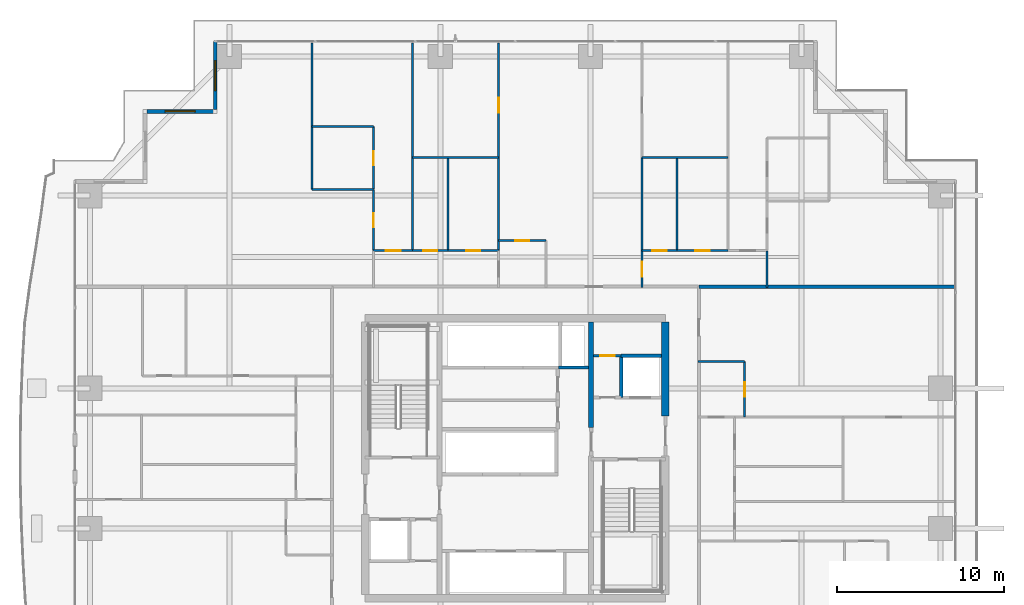
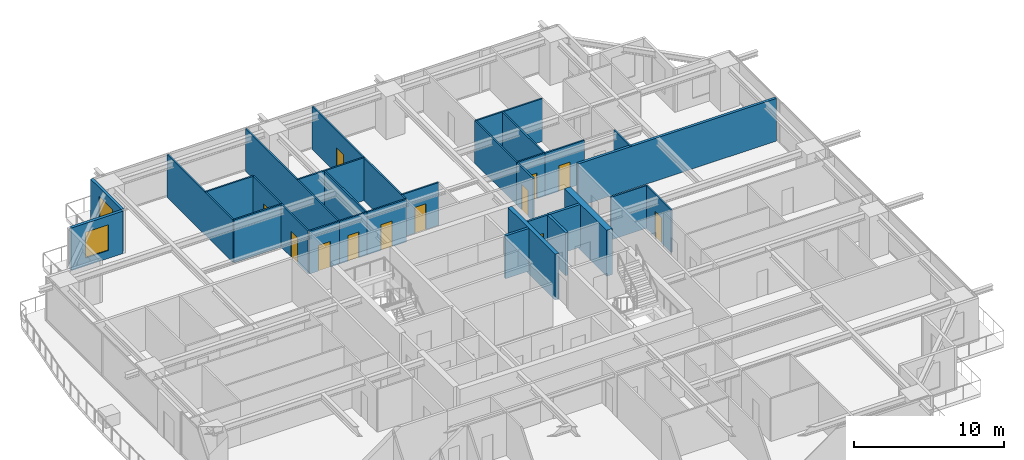
# One storey, part 31 of 41: 32 walls, 12 doors, 2 windows, 14 openings.
"""IFC4 building model written with IfcOpenShell, lengths in metres."""

from ifc_helpers import new_model, si_unit, direction, frame, frame_2d, origin, place, context, subcontext, project, spatial, rectangle, extrude, source, transform, mapped, material, layer, layer_set, type_object, element, fill, save


model = new_model("IFC4")

# Units and contexts
model_context = context("Model", 3, precision=1e-05, world=origin(), true_north=direction((0.0, 1.0)))
body_context = subcontext(model_context, "Body", "Model", "MODEL_VIEW")
ifc_project = project(units=[si_unit("LENGTHUNIT", "METRE"), si_unit("AREAUNIT", "SQUARE_METRE"), si_unit("VOLUMEUNIT", "CUBIC_METRE"), si_unit("PLANEANGLEUNIT", "RADIAN"), si_unit("MASSUNIT", "GRAM", prefix="KILO")], contexts=[model_context])

# Site, building, storey
site_placement = place(None, origin())
site = spatial("IfcSite", under=ifc_project, at=site_placement, CompositionType="ELEMENT")
building_placement = place(site_placement, origin())
building = spatial("IfcBuilding", under=site, at=building_placement, Name="Serunith Strait Residences", CompositionType="ELEMENT")
storey_placement = place(building_placement, frame((0.0, 0.0, 75.449951171875)))
storey = spatial("IfcBuildingStorey", under=building, at=storey_placement, Name="L18", CompositionType="ELEMENT", Elevation=75.449951171875)

# Wall, opening, window
ifc_material_1 = material(Name="Pale-Champagne Aluminium Insulated Panel", Category="aluminium")
ifc_layer_1 = layer(ifc_material_1, 0.219970703125, Name="Pale-Champagne Aluminium Insulated Panel")
ifc_layer_set_1 = layer_set([ifc_layer_1], Name="Pale-Champagne Aluminium Insulated Panel")
wall_type_1 = type_object("IfcWallType", Name="EW-ALUM-220", PredefinedType="ELEMENTEDWALL", material=ifc_layer_set_1)
wall_1_placement = place(storey_placement, frame((14.39990234375, 50.199951171875, 0.0), z_axis=(0.0, 0.0, 1.0), x_axis=(0.0, -1.0, 0.0)))
wall_1 = element("IfcWall", 1, at=wall_1_placement, inside=storey, type_object=wall_type_1, Name="L18 Girih Serrated Corner Wall 12", PredefinedType="ELEMENTEDWALL", context=body_context, shape_type="SweptSolid", body=[
    extrude(rectangle(XDim=4.08984375, YDim=0.219970703125, at=frame_2d((2.044921875, 0.0))), origin(), (0.0, 0.0, 1.0), 3.47509765625),
])
opening_1_placement = place(wall_1_placement, frame((1.14501953125, 0.0, 0.64990234375)))
opening_1 = element("IfcOpeningElement", 2, at=opening_1_placement, cuts=wall_1, Name="Opening W-01", PredefinedType="OPENING", context=body_context, shape_type="SweptSolid", body=[
    extrude(rectangle(XDim=1.800048828125, YDim=2.10009765625, at=frame_2d((0.89990234375, 1.050048828125))), frame((0.0, 0.1201171875, 0.0), z_axis=(0.0, -1.0, 0.0), x_axis=(1.0, 0.0, 0.0)), (0.0, 0.0, 1.0), 0.239990234375),
])
ifc_material_2 = material(Name="Ceramic-Fritted Operable Aluminium Window Glass", Category="aluminium")
window_type = type_object("IfcWindowType", Name="WIN-C1", PartitioningType="DOUBLE_PANEL_VERTICAL", PredefinedType="WINDOW", material=ifc_material_2)
shared_shape_1 = source(origin(), body_context, "Body", "SweptSolid", [
    extrude(rectangle(XDim=1.800048828125, YDim=2.10009765625, at=frame_2d((0.89990234375, 1.050048828125))), frame((0.0, 0.030029296875, 0.0), z_axis=(0.0, -1.0, 0.0), x_axis=(1.0, 0.0, 0.0)), (0.0, 0.0, 1.0), 0.06005859375),
])
window_1_placement = place(opening_1_placement, origin())
window_1 = element("IfcWindow", 3, at=window_1_placement, inside=storey, type_object=window_type, Name="L18 Corner Operable Fritted Window 12", OverallHeight=2.10009765625, OverallWidth=1.800048828125, PartitioningType="SINGLE_PANEL", PredefinedType="WINDOW", context=body_context, shape_type="MappedRepresentation", body=[
    mapped(shared_shape_1, transform((0.0, 0.0, 0.0), scale=1.0)),
])
fill(opening_1, window_1)

wall_2_placement = place(storey_placement, frame((14.2900390625, 46.0, 0.0), z_axis=(0.0, 0.0, 1.0), x_axis=(-1.0, 0.0, 0.0)))
wall_2 = element("IfcWall", 4, at=wall_2_placement, inside=storey, type_object=wall_type_1, Name="L18 Girih Serrated Corner Wall 13", PredefinedType="ELEMENTEDWALL", context=body_context, shape_type="SweptSolid", body=[
    extrude(rectangle(XDim=3.97998046875, YDim=0.219970703125, at=frame_2d((1.989990234375, 0.0))), origin(), (0.0, 0.0, 1.0), 3.47509765625),
])
opening_2_placement = place(wall_2_placement, frame((1.090087890625, 0.0, 0.64990234375)))
opening_2 = element("IfcOpeningElement", 5, at=opening_2_placement, cuts=wall_2, Name="Opening W-01", PredefinedType="OPENING", context=body_context, shape_type="SweptSolid", body=[
    extrude(rectangle(XDim=1.800048828125, YDim=2.10009765625, at=frame_2d((0.89990234375, 1.050048828125))), frame((0.0, 0.1201171875, 0.0), z_axis=(0.0, -1.0, 0.0), x_axis=(1.0, 0.0, 0.0)), (0.0, 0.0, 1.0), 0.239990234375),
])
window_2_placement = place(opening_2_placement, origin())
window_2 = element("IfcWindow", 6, at=window_2_placement, inside=storey, type_object=window_type, Name="L18 Corner Operable Fritted Window 13", OverallHeight=2.10009765625, OverallWidth=1.800048828125, PartitioningType="SINGLE_PANEL", PredefinedType="WINDOW", context=body_context, shape_type="MappedRepresentation", body=[
    mapped(shared_shape_1, transform((0.0, 0.0, 0.0), scale=1.0)),
])
fill(opening_2, window_2)

# Wall, opening, door
ifc_material_3 = material(Name="Fire-rated masonry service closet wall", Category="masonry")
ifc_layer_2 = layer(ifc_material_3, 0.14990234375, Name="Fire-rated masonry service closet wall")
ifc_layer_set_2 = layer_set([ifc_layer_2], Name="Fire-rated masonry service closet wall")
wall_type_2 = type_object("IfcWallType", Name="IW-BOH-150", PredefinedType="PARTITIONING", material=ifc_layer_set_2)
wall_3_placement = place(storey_placement, frame((37.10009765625, 31.35009765625, 0.0), z_axis=(0.0, 0.0, 1.0), x_axis=(1.0, 0.0, 0.0)))
wall_3 = element("IfcWall", 7, at=wall_3_placement, inside=storey, type_object=wall_type_2, Name="L18 Partition Wall 013", PredefinedType="PARTITIONING", context=body_context, shape_type="SweptSolid", body=[
    extrude(rectangle(XDim=1.64794921875, YDim=0.14990234375, at=frame_2d((0.823974609375, 0.0))), origin(), (0.0, 0.0, 1.0), 3.489990234375),
])
opening_3_placement = place(wall_3_placement, frame((0.39892578125, 0.0, 0.0)))
opening_3 = element("IfcOpeningElement", 8, at=opening_3_placement, cuts=wall_3, Name="Opening FD-850", PredefinedType="OPENING", context=body_context, shape_type="SweptSolid", body=[
    extrude(rectangle(XDim=0.85009765625, YDim=2.10009765625, at=frame_2d((0.425048828125, 1.050048828125))), frame((0.0, 0.0849609375, 0.0), z_axis=(0.0, -1.0, 0.0), x_axis=(1.0, 0.0, 0.0)), (0.0, 0.0, 1.0), 0.169921875),
])
ifc_material_4 = material(Name="Powder-coated steel service closet door", Category="steel")
door_type_1 = type_object("IfcDoorType", Name="FD-BOH-850", OperationType="NOTDEFINED", PredefinedType="DOOR", material=ifc_material_4)
shared_shape_2 = source(origin(), body_context, "Body", "SweptSolid", [
    extrude(rectangle(XDim=0.85009765625, YDim=2.10009765625, at=frame_2d((0.425048828125, 1.050048828125))), frame((0.0, 0.02490234375, 0.0), z_axis=(0.0, -1.0, 0.0), x_axis=(1.0, 0.0, 0.0)), (0.0, 0.0, 1.0), 0.050048828125),
])
door_1_placement = place(opening_3_placement, origin())
door_1 = element("IfcDoor", 9, at=door_1_placement, inside=storey, type_object=door_type_1, Name="L18 Refuse Store Door", OperationType="SINGLE_SWING_LEFT", OverallHeight=2.10009765625, OverallWidth=0.85009765625, PredefinedType="DOOR", context=body_context, shape_type="MappedRepresentation", body=[
    mapped(shared_shape_2, transform((0.0, 0.0, 0.0), scale=1.0)),
])
fill(opening_3, door_1)

ifc_material_5 = material(Name="Lightweight steel-stud gypsum partition", Category="steel")
ifc_layer_3 = layer(ifc_material_5, 0.1201171875, Name="Lightweight steel-stud gypsum partition")
ifc_layer_set_3 = layer_set([ifc_layer_3], Name="Lightweight steel-stud gypsum partition")
wall_type_3 = type_object("IfcWallType", Name="IW-PART-120", PredefinedType="PARTITIONING", material=ifc_layer_set_3)
wall_4_placement = place(storey_placement, frame((31.39990234375, 38.25, 0.0), z_axis=(0.0, 0.0, 1.0), x_axis=(1.0, 0.0, 0.0)))
wall_4 = element("IfcWall", 10, at=wall_4_placement, inside=storey, type_object=wall_type_3, Name="L18 Partition Wall 055", PredefinedType="PARTITIONING", context=body_context, shape_type="SweptSolid", body=[
    extrude(rectangle(XDim=2.85009765625, YDim=0.1201171875, at=frame_2d((1.425048828125, 0.0))), origin(), (0.0, 0.0, 1.0), 3.489990234375),
])
opening_4_placement = place(wall_4_placement, frame((1.0, 0.0, 0.0)))
opening_4 = element("IfcOpeningElement", 11, at=opening_4_placement, cuts=wall_4, Name="Opening D-RM850", PredefinedType="OPENING", context=body_context, shape_type="SweptSolid", body=[
    extrude(rectangle(XDim=0.85009765625, YDim=2.10009765625, at=frame_2d((0.425048828125, 1.050048828125))), frame((0.0, 0.070068359375, 0.0), z_axis=(0.0, -1.0, 0.0), x_axis=(1.0, 0.0, 0.0)), (0.0, 0.0, 1.0), 0.14013671875),
])
ifc_material_6 = material(Name="Engineered timber flush study and kitchen door", Category="wood")
door_type_2 = type_object("IfcDoorType", Name="ID-ROOM-850", OperationType="NOTDEFINED", PredefinedType="DOOR", material=ifc_material_6)
door_2_placement = place(opening_4_placement, origin())
door_2 = element("IfcDoor", 12, at=door_2_placement, inside=storey, type_object=door_type_2, Name="L18 Kitchen 1802 Door", OperationType="SINGLE_SWING_RIGHT", OverallHeight=2.10009765625, OverallWidth=0.85009765625, PredefinedType="DOOR", context=body_context, shape_type="MappedRepresentation", body=[
    mapped(shared_shape_2, transform((0.0, 0.0, 0.0), scale=1.0)),
])
fill(opening_4, door_2)

wall_5_placement = place(storey_placement, frame((31.39990234375, 50.10498046875, 0.0), z_axis=(0.0, 0.0, 1.0), x_axis=(0.0, -1.0, 0.0)))
wall_5 = element("IfcWall", 13, at=wall_5_placement, inside=storey, type_object=wall_type_3, Name="L18 Partition Wall 058", PredefinedType="PARTITIONING", context=body_context, shape_type="SweptSolid", body=[
    extrude(rectangle(XDim=6.85107421875, YDim=0.1201171875, at=frame_2d((3.425537109375, 0.0))), origin(), (0.0, 0.0, 1.0), 3.489990234375),
])
opening_5_placement = place(wall_5_placement, frame((3.27294921875, 0.0, 0.0)))
opening_5 = element("IfcOpeningElement", 14, at=opening_5_placement, cuts=wall_5, Name="Opening D-RM900", PredefinedType="OPENING", context=body_context, shape_type="SweptSolid", body=[
    extrude(rectangle(XDim=0.89990234375, YDim=2.10009765625, at=frame_2d((0.449951171875, 1.050048828125))), frame((0.0, 0.070068359375, 0.0), z_axis=(0.0, -1.0, 0.0), x_axis=(1.0, 0.0, 0.0)), (0.0, 0.0, 1.0), 0.14013671875),
])
ifc_material_7 = material(Name="Engineered timber flush bedroom door", Category="wood")
door_type_3 = type_object("IfcDoorType", Name="ID-ROOM-900", OperationType="NOTDEFINED", PredefinedType="DOOR", material=ifc_material_7)
shared_shape_3 = source(origin(), body_context, "Body", "SweptSolid", [
    extrude(rectangle(XDim=0.89990234375, YDim=2.10009765625, at=frame_2d((0.449951171875, 1.050048828125))), frame((0.0, 0.02490234375, 0.0), z_axis=(0.0, -1.0, 0.0), x_axis=(1.0, 0.0, 0.0)), (0.0, 0.0, 1.0), 0.050048828125),
])
door_3_placement = place(opening_5_placement, origin())
door_3 = element("IfcDoor", 15, at=door_3_placement, inside=storey, type_object=door_type_3, Name="L18 Formal Dining Room 1 1802 Door", OperationType="SINGLE_SWING_RIGHT", OverallHeight=2.10009765625, OverallWidth=0.89990234375, PredefinedType="DOOR", context=body_context, shape_type="MappedRepresentation", body=[
    mapped(shared_shape_3, transform((0.0, 0.0, 0.0), scale=1.0)),
])
fill(opening_5, door_3)

# Walls
wall_6_placement = place(storey_placement, frame((31.39990234375, 43.251953125, 0.0), z_axis=(0.0, 0.0, 1.0), x_axis=(0.0, -1.0, 0.0)))
element("IfcWall", 16, at=wall_6_placement, inside=storey, type_object=wall_type_3, Name="L18 Partition Wall 059", PredefinedType="PARTITIONING", context=body_context, shape_type="SweptSolid", body=[
    extrude(rectangle(XDim=5.599853515625, YDim=0.1201171875, at=frame_2d((2.7998046875, 0.0))), origin(), (0.0, 0.0, 1.0), 3.489990234375),
])
wall_7_placement = place(storey_placement, frame((26.25, 43.25390625, 0.0), z_axis=(0.0, 0.0, 1.0), x_axis=(1.0, 0.0, 0.0)))
element("IfcWall", 17, at=wall_7_placement, inside=storey, type_object=wall_type_3, Name="L18 Partition Wall 060", PredefinedType="PARTITIONING", context=body_context, shape_type="SweptSolid", body=[
    extrude(rectangle(XDim=5.14990234375, YDim=0.1201171875, at=frame_2d((2.574951171875, 0.0))), origin(), (0.0, 0.0, 1.0), 3.489990234375),
])
wall_8_placement = place(storey_placement, frame((26.25, 50.10498046875, 0.0), z_axis=(0.0, 0.0, 1.0), x_axis=(0.0, -1.0, 0.0)))
element("IfcWall", 18, at=wall_8_placement, inside=storey, type_object=wall_type_3, Name="L18 Partition Wall 061", PredefinedType="PARTITIONING", context=body_context, shape_type="SweptSolid", body=[
    extrude(rectangle(XDim=12.455078125, YDim=0.1201171875, at=frame_2d((6.2275390625, 0.0))), origin(), (0.0, 0.0, 1.0), 3.489990234375),
])
wall_9_placement = place(storey_placement, frame((28.35009765625, 43.25390625, 0.0), z_axis=(0.0, 0.0, 1.0), x_axis=(0.0, -1.0, 0.0)))
element("IfcWall", 19, at=wall_9_placement, inside=storey, type_object=wall_type_3, Name="L18 Partition Wall 062", PredefinedType="PARTITIONING", context=body_context, shape_type="SweptSolid", body=[
    extrude(rectangle(XDim=5.60400390625, YDim=0.1201171875, at=frame_2d((2.802001953125, 0.0))), origin(), (0.0, 0.0, 1.0), 3.489990234375),
])

# Wall, opening, door
wall_10_placement = place(storey_placement, frame((26.25, 37.64990234375, 0.0), z_axis=(0.0, 0.0, 1.0), x_axis=(1.0, 0.0, 0.0)))
wall_10 = element("IfcWall", 20, at=wall_10_placement, inside=storey, type_object=wall_type_3, Name="L18 Partition Wall 063", PredefinedType="PARTITIONING", context=body_context, shape_type="SweptSolid", body=[
    extrude(rectangle(XDim=2.10009765625, YDim=0.1201171875, at=frame_2d((1.050048828125, 0.0))), origin(), (0.0, 0.0, 1.0), 3.489990234375),
])
opening_6_placement = place(wall_10_placement, frame((0.625, 0.0, 0.0)))
opening_6 = element("IfcOpeningElement", 21, at=opening_6_placement, cuts=wall_10, Name="Opening D-BTH850", PredefinedType="OPENING", context=body_context, shape_type="SweptSolid", body=[
    extrude(rectangle(XDim=0.85009765625, YDim=2.10009765625, at=frame_2d((0.425048828125, 1.050048828125))), frame((0.0, 0.070068359375, 0.0), z_axis=(0.0, -1.0, 0.0), x_axis=(1.0, 0.0, 0.0)), (0.0, 0.0, 1.0), 0.14013671875),
])
ifc_material_8 = material(Name="Moisture-resistant timber bathroom door", Category="wood")
door_type_4 = type_object("IfcDoorType", Name="ID-BATH-850", OperationType="NOTDEFINED", PredefinedType="DOOR", material=ifc_material_8)
door_4_placement = place(opening_6_placement, origin())
door_4 = element("IfcDoor", 22, at=door_4_placement, inside=storey, type_object=door_type_4, Name="L18 Bathroom 1802 Door", OperationType="SINGLE_SWING_LEFT", OverallHeight=2.10009765625, OverallWidth=0.85009765625, PredefinedType="DOOR", context=body_context, shape_type="MappedRepresentation", body=[
    mapped(shared_shape_2, transform((0.0, 0.0, 0.0), scale=1.0)),
])
fill(opening_6, door_4)

wall_11_placement = place(storey_placement, frame((28.35205078125, 37.64990234375, 0.0), z_axis=(0.0, 0.0, 1.0), x_axis=(1.0, 0.0, 0.0)))
wall_11 = element("IfcWall", 23, at=wall_11_placement, inside=storey, type_object=wall_type_3, Name="L18 Partition Wall 064", PredefinedType="PARTITIONING", context=body_context, shape_type="SweptSolid", body=[
    extrude(rectangle(XDim=3.0478515625, YDim=0.1201171875, at=frame_2d((1.52392578125, 0.0))), origin(), (0.0, 0.0, 1.0), 3.489990234375),
])
opening_7_placement = place(wall_11_placement, frame((1.09912109375, 0.0, 0.0)))
opening_7 = element("IfcOpeningElement", 24, at=opening_7_placement, cuts=wall_11, Name="Opening D-RM850", PredefinedType="OPENING", context=body_context, shape_type="SweptSolid", body=[
    extrude(rectangle(XDim=0.85009765625, YDim=2.10009765625, at=frame_2d((0.425048828125, 1.050048828125))), frame((0.0, 0.070068359375, 0.0), z_axis=(0.0, -1.0, 0.0), x_axis=(1.0, 0.0, 0.0)), (0.0, 0.0, 1.0), 0.14013671875),
])
door_5_placement = place(opening_7_placement, origin())
door_5 = element("IfcDoor", 25, at=door_5_placement, inside=storey, type_object=door_type_2, Name="L18 Formal Dining Room 1802 Door", OperationType="SINGLE_SWING_RIGHT", OverallHeight=2.10009765625, OverallWidth=0.85009765625, PredefinedType="DOOR", context=body_context, shape_type="MappedRepresentation", body=[
    mapped(shared_shape_2, transform((0.0, 0.0, 0.0), scale=1.0)),
])
fill(opening_7, door_5)

wall_12_placement = place(storey_placement, frame((23.89990234375, 37.64990234375, 0.0), z_axis=(0.0, 0.0, 1.0), x_axis=(1.0, 0.0, 0.0)))
wall_12 = element("IfcWall", 26, at=wall_12_placement, inside=storey, type_object=wall_type_3, Name="L18 Partition Wall 065", PredefinedType="PARTITIONING", context=body_context, shape_type="SweptSolid", body=[
    extrude(rectangle(XDim=2.34814453125, YDim=0.1201171875, at=frame_2d((1.174072265625, 0.0))), origin(), (0.0, 0.0, 1.0), 3.489990234375),
])
opening_8_placement = place(wall_12_placement, frame((0.72412109375, 0.0, 0.0)))
opening_8 = element("IfcOpeningElement", 27, at=opening_8_placement, cuts=wall_12, Name="Opening D-RM900", PredefinedType="OPENING", context=body_context, shape_type="SweptSolid", body=[
    extrude(rectangle(XDim=0.89990234375, YDim=2.10009765625, at=frame_2d((0.449951171875, 1.050048828125))), frame((0.0, 0.070068359375, 0.0), z_axis=(0.0, -1.0, 0.0), x_axis=(1.0, 0.0, 0.0)), (0.0, 0.0, 1.0), 0.14013671875),
])
door_6_placement = place(opening_8_placement, origin())
door_6 = element("IfcDoor", 28, at=door_6_placement, inside=storey, type_object=door_type_3, Name="L18 Master Bedroom W 1802 Door", OperationType="SINGLE_SWING_LEFT", OverallHeight=2.10009765625, OverallWidth=0.89990234375, PredefinedType="DOOR", context=body_context, shape_type="MappedRepresentation", body=[
    mapped(shared_shape_3, transform((0.0, 0.0, 0.0), scale=1.0)),
])
fill(opening_8, door_6)

# Walls
wall_13_placement = place(storey_placement, frame((20.199951171875, 45.091064453125, 0.0), z_axis=(0.0, 0.0, 1.0), x_axis=(1.0, 0.0, 0.0)))
element("IfcWall", 29, at=wall_13_placement, inside=storey, type_object=wall_type_3, Name="L18 Partition Wall 066", PredefinedType="PARTITIONING", context=body_context, shape_type="SweptSolid", body=[
    extrude(rectangle(XDim=3.699951171875, YDim=0.1201171875, at=frame_2d((1.85009765625, 0.0))), origin(), (0.0, 0.0, 1.0), 3.489990234375),
])
wall_14_placement = place(storey_placement, frame((20.199951171875, 50.10498046875, 0.0), z_axis=(0.0, 0.0, 1.0), x_axis=(0.0, -1.0, 0.0)))
element("IfcWall", 30, at=wall_14_placement, inside=storey, type_object=wall_type_3, Name="L18 Partition Wall 067", PredefinedType="PARTITIONING", context=body_context, shape_type="SweptSolid", body=[
    extrude(rectangle(XDim=8.798095703125, YDim=0.1201171875, at=frame_2d((4.39892578125, 0.0))), origin(), (0.0, 0.0, 1.0), 3.489990234375),
])
wall_15_placement = place(storey_placement, frame((20.199951171875, 41.306884765625, 0.0), z_axis=(0.0, 0.0, 1.0), x_axis=(1.0, 0.0, 0.0)))
element("IfcWall", 31, at=wall_15_placement, inside=storey, type_object=wall_type_3, Name="L18 Partition Wall 068", PredefinedType="PARTITIONING", context=body_context, shape_type="SweptSolid", body=[
    extrude(rectangle(XDim=3.699951171875, YDim=0.1201171875, at=frame_2d((1.85009765625, 0.0))), origin(), (0.0, 0.0, 1.0), 3.489990234375),
])

# Wall, opening, door
wall_16_placement = place(storey_placement, frame((23.89990234375, 45.091064453125, 0.0), z_axis=(0.0, 0.0, 1.0), x_axis=(0.0, -1.0, 0.0)))
wall_16 = element("IfcWall", 32, at=wall_16_placement, inside=storey, type_object=wall_type_3, Name="L18 Partition Wall 069", PredefinedType="PARTITIONING", context=body_context, shape_type="SweptSolid", body=[
    extrude(rectangle(XDim=3.7841796875, YDim=0.1201171875, at=frame_2d((1.89208984375, 0.0))), origin(), (0.0, 0.0, 1.0), 3.489990234375),
])
opening_9_placement = place(wall_16_placement, frame((1.467041015625, 0.0, 0.0)))
opening_9 = element("IfcOpeningElement", 33, at=opening_9_placement, cuts=wall_16, Name="Opening D-BTH850", PredefinedType="OPENING", context=body_context, shape_type="SweptSolid", body=[
    extrude(rectangle(XDim=0.85009765625, YDim=2.10009765625, at=frame_2d((0.425048828125, 1.050048828125))), frame((0.0, 0.070068359375, 0.0), z_axis=(0.0, -1.0, 0.0), x_axis=(1.0, 0.0, 0.0)), (0.0, 0.0, 1.0), 0.14013671875),
])
door_7_placement = place(opening_9_placement, origin())
door_7 = element("IfcDoor", 34, at=door_7_placement, inside=storey, type_object=door_type_4, Name="L18 En-suite Bathroom W 1802 Door", OperationType="SINGLE_SWING_RIGHT", OverallHeight=2.10009765625, OverallWidth=0.85009765625, PredefinedType="DOOR", context=body_context, shape_type="MappedRepresentation", body=[
    mapped(shared_shape_2, transform((0.0, 0.0, 0.0), scale=1.0)),
])
fill(opening_9, door_7)

wall_17_placement = place(storey_placement, frame((23.89990234375, 41.304931640625, 0.0), z_axis=(0.0, 0.0, 1.0), x_axis=(0.0, -1.0, 0.0)))
wall_17 = element("IfcWall", 35, at=wall_17_placement, inside=storey, type_object=wall_type_3, Name="L18 Partition Wall 070", PredefinedType="PARTITIONING", context=body_context, shape_type="SweptSolid", body=[
    extrude(rectangle(XDim=3.655029296875, YDim=0.1201171875, at=frame_2d((1.82763671875, 0.0))), origin(), (0.0, 0.0, 1.0), 3.489990234375),
])
opening_10_placement = place(wall_17_placement, frame((1.403076171875, 0.0, 0.0)))
opening_10 = element("IfcOpeningElement", 36, at=opening_10_placement, cuts=wall_17, Name="Opening D-RM850", PredefinedType="OPENING", context=body_context, shape_type="SweptSolid", body=[
    extrude(rectangle(XDim=0.85009765625, YDim=2.10009765625, at=frame_2d((0.425048828125, 1.050048828125))), frame((0.0, 0.070068359375, 0.0), z_axis=(0.0, -1.0, 0.0), x_axis=(1.0, 0.0, 0.0)), (0.0, 0.0, 1.0), 0.14013671875),
])
door_8_placement = place(opening_10_placement, origin())
door_8 = element("IfcDoor", 37, at=door_8_placement, inside=storey, type_object=door_type_2, Name="L18 Wardrobe W 1802 Door", OperationType="SINGLE_SWING_LEFT", OverallHeight=2.10009765625, OverallWidth=0.85009765625, PredefinedType="DOOR", context=body_context, shape_type="MappedRepresentation", body=[
    mapped(shared_shape_2, transform((0.0, 0.0, 0.0), scale=1.0)),
])
fill(opening_10, door_8)

wall_18_placement = place(storey_placement, frame((40.0, 37.64990234375, 0.0), z_axis=(0.0, 0.0, 1.0), x_axis=(0.0, -1.0, 0.0)))
wall_18 = element("IfcWall", 38, at=wall_18_placement, inside=storey, type_object=wall_type_3, Name="L18 Partition Wall 072", PredefinedType="PARTITIONING", context=body_context, shape_type="SweptSolid", body=[
    extrude(rectangle(XDim=2.2099609375, YDim=0.1201171875, at=frame_2d((1.10498046875, 0.0))), origin(), (0.0, 0.0, 1.0), 3.489990234375),
])
opening_11_placement = place(wall_18_placement, frame((0.655029296875, 0.0, 0.0)))
opening_11 = element("IfcOpeningElement", 39, at=opening_11_placement, cuts=wall_18, Name="Opening D-RM900", PredefinedType="OPENING", context=body_context, shape_type="SweptSolid", body=[
    extrude(rectangle(XDim=0.89990234375, YDim=2.10009765625, at=frame_2d((0.449951171875, 1.050048828125))), frame((0.0, 0.070068359375, 0.0), z_axis=(0.0, -1.0, 0.0), x_axis=(1.0, 0.0, 0.0)), (0.0, 0.0, 1.0), 0.14013671875),
])
door_9_placement = place(opening_11_placement, origin())
door_9 = element("IfcDoor", 40, at=door_9_placement, inside=storey, type_object=door_type_3, Name="L18 Hall E 1802 Door", OperationType="SINGLE_SWING_RIGHT", OverallHeight=2.10009765625, OverallWidth=0.89990234375, PredefinedType="DOOR", context=body_context, shape_type="MappedRepresentation", body=[
    mapped(shared_shape_3, transform((0.0, 0.0, 0.0), scale=1.0)),
])
fill(opening_11, door_9)

# Walls
wall_19_placement = place(storey_placement, frame((40.0, 43.251953125, 0.0), z_axis=(0.0, 0.0, 1.0), x_axis=(0.0, -1.0, 0.0)))
element("IfcWall", 41, at=wall_19_placement, inside=storey, type_object=wall_type_3, Name="L18 Partition Wall 074", PredefinedType="PARTITIONING", context=body_context, shape_type="SweptSolid", body=[
    extrude(rectangle(XDim=5.599853515625, YDim=0.1201171875, at=frame_2d((2.7998046875, 0.0))), origin(), (0.0, 0.0, 1.0), 3.489990234375),
])
wall_20_placement = place(storey_placement, frame((40.0, 43.25390625, 0.0), z_axis=(0.0, 0.0, 1.0), x_axis=(1.0, 0.0, 0.0)))
element("IfcWall", 42, at=wall_20_placement, inside=storey, type_object=wall_type_3, Name="L18 Partition Wall 075", PredefinedType="PARTITIONING", context=body_context, shape_type="SweptSolid", body=[
    extrude(rectangle(XDim=5.14990234375, YDim=0.1201171875, at=frame_2d((2.574951171875, 0.0))), origin(), (0.0, 0.0, 1.0), 3.489990234375),
])
wall_21_placement = place(storey_placement, frame((42.10009765625, 43.25390625, 0.0), z_axis=(0.0, 0.0, 1.0), x_axis=(0.0, -1.0, 0.0)))
element("IfcWall", 43, at=wall_21_placement, inside=storey, type_object=wall_type_3, Name="L18 Partition Wall 077", PredefinedType="PARTITIONING", context=body_context, shape_type="SweptSolid", body=[
    extrude(rectangle(XDim=5.60400390625, YDim=0.1201171875, at=frame_2d((2.802001953125, 0.0))), origin(), (0.0, 0.0, 1.0), 3.489990234375),
])

# Wall, opening, door
wall_22_placement = place(storey_placement, frame((40.0, 37.64990234375, 0.0), z_axis=(0.0, 0.0, 1.0), x_axis=(1.0, 0.0, 0.0)))
wall_22 = element("IfcWall", 44, at=wall_22_placement, inside=storey, type_object=wall_type_3, Name="L18 Partition Wall 078", PredefinedType="PARTITIONING", context=body_context, shape_type="SweptSolid", body=[
    extrude(rectangle(XDim=2.10009765625, YDim=0.1201171875, at=frame_2d((1.050048828125, 0.0))), origin(), (0.0, 0.0, 1.0), 3.489990234375),
])
opening_12_placement = place(wall_22_placement, frame((0.625, 0.0, 0.0)))
opening_12 = element("IfcOpeningElement", 45, at=opening_12_placement, cuts=wall_22, Name="Opening D-RM850", PredefinedType="OPENING", context=body_context, shape_type="SweptSolid", body=[
    extrude(rectangle(XDim=0.85009765625, YDim=2.10009765625, at=frame_2d((0.425048828125, 1.050048828125))), frame((0.0, 0.070068359375, 0.0), z_axis=(0.0, -1.0, 0.0), x_axis=(1.0, 0.0, 0.0)), (0.0, 0.0, 1.0), 0.14013671875),
])
door_10_placement = place(opening_12_placement, origin())
door_10 = element("IfcDoor", 46, at=door_10_placement, inside=storey, type_object=door_type_2, Name="L18 Study 1802 Door", OperationType="SINGLE_SWING_RIGHT", OverallHeight=2.10009765625, OverallWidth=0.85009765625, PredefinedType="DOOR", context=body_context, shape_type="MappedRepresentation", body=[
    mapped(shared_shape_2, transform((0.0, 0.0, 0.0), scale=1.0)),
])
fill(opening_12, door_10)

wall_23_placement = place(storey_placement, frame((42.10205078125, 37.64990234375, 0.0), z_axis=(0.0, 0.0, 1.0), x_axis=(1.0, 0.0, 0.0)))
wall_23 = element("IfcWall", 47, at=wall_23_placement, inside=storey, type_object=wall_type_3, Name="L18 Partition Wall 079", PredefinedType="PARTITIONING", context=body_context, shape_type="SweptSolid", body=[
    extrude(rectangle(XDim=3.0478515625, YDim=0.1201171875, at=frame_2d((1.52392578125, 0.0))), origin(), (0.0, 0.0, 1.0), 3.489990234375),
])
opening_13_placement = place(wall_23_placement, frame((1.09912109375, 0.0, 0.0)))
opening_13 = element("IfcOpeningElement", 48, at=opening_13_placement, cuts=wall_23, Name="Opening D-RM850", PredefinedType="OPENING", context=body_context, shape_type="SweptSolid", body=[
    extrude(rectangle(XDim=0.85009765625, YDim=2.10009765625, at=frame_2d((0.425048828125, 1.050048828125))), frame((0.0, 0.070068359375, 0.0), z_axis=(0.0, -1.0, 0.0), x_axis=(1.0, 0.0, 0.0)), (0.0, 0.0, 1.0), 0.14013671875),
])
door_11_placement = place(opening_13_placement, origin())
door_11 = element("IfcDoor", 49, at=door_11_placement, inside=storey, type_object=door_type_2, Name="L18 Formal Dining Room 1802 Door", OperationType="SINGLE_SWING_LEFT", OverallHeight=2.10009765625, OverallWidth=0.85009765625, PredefinedType="DOOR", context=body_context, shape_type="MappedRepresentation", body=[
    mapped(shared_shape_2, transform((0.0, 0.0, 0.0), scale=1.0)),
])
fill(opening_13, door_11)

# Wall
wall_24_placement = place(storey_placement, frame((47.5, 37.64794921875, 0.0), z_axis=(0.0, 0.0, 1.0), x_axis=(0.0, -1.0, 0.0)))
element("IfcWall", 50, at=wall_24_placement, inside=storey, type_object=wall_type_3, Name="L18 Partition Wall 086", PredefinedType="PARTITIONING", context=body_context, shape_type="SweptSolid", body=[
    extrude(rectangle(XDim=2.2080078125, YDim=0.1201171875, at=frame_2d((1.10400390625, 0.0))), origin(), (0.0, 0.0, 1.0), 3.489990234375),
])

# Wall, opening, door
wall_25_placement = place(storey_placement, frame((46.14990234375, 27.669921875, 0.0), z_axis=(0.0, 0.0, 1.0), x_axis=(0.0, 1.0, 0.0)))
wall_25 = element("IfcWall", 51, at=wall_25_placement, inside=storey, type_object=wall_type_3, Name="L18 Partition Wall 103", PredefinedType="PARTITIONING", context=body_context, shape_type="SweptSolid", body=[
    extrude(rectangle(XDim=3.330078125, YDim=0.1201171875, at=frame_2d((1.6650390625, 0.0))), origin(), (0.0, 0.0, 1.0), 3.489990234375),
])
opening_14_placement = place(wall_25_placement, frame((1.239990234375, 0.0, 0.0)))
opening_14 = element("IfcOpeningElement", 52, at=opening_14_placement, cuts=wall_25, Name="Opening D-RM850", PredefinedType="OPENING", context=body_context, shape_type="SweptSolid", body=[
    extrude(rectangle(XDim=0.85009765625, YDim=2.10009765625, at=frame_2d((0.425048828125, 1.050048828125))), frame((0.0, 0.070068359375, 0.0), z_axis=(0.0, -1.0, 0.0), x_axis=(1.0, 0.0, 0.0)), (0.0, 0.0, 1.0), 0.14013671875),
])
door_12_placement = place(opening_14_placement, origin())
door_12 = element("IfcDoor", 53, at=door_12_placement, inside=storey, type_object=door_type_2, Name="L18 Kitchen 1804 Door", OperationType="SINGLE_SWING_LEFT", OverallHeight=2.10009765625, OverallWidth=0.85009765625, PredefinedType="DOOR", context=body_context, shape_type="MappedRepresentation", body=[
    mapped(shared_shape_2, transform((0.0, 0.0, 0.0), scale=1.0)),
])
fill(opening_14, door_12)

# Walls
wall_26_placement = place(storey_placement, frame((46.14990234375, 31.0, 0.0), z_axis=(0.0, 0.0, 1.0), x_axis=(-1.0, 0.0, 0.0)))
element("IfcWall", 54, at=wall_26_placement, inside=storey, type_object=wall_type_3, Name="L18 Partition Wall 104", PredefinedType="PARTITIONING", context=body_context, shape_type="SweptSolid", body=[
    extrude(rectangle(XDim=2.809814453125, YDim=0.1201171875, at=frame_2d((1.40478515625, 0.0))), origin(), (0.0, 0.0, 1.0), 3.489990234375),
])
ifc_material_9 = material(Name="Twin-stud acoustic gypsum board partition")
ifc_layer_4 = layer(ifc_material_9, 0.199951171875, Name="Twin-stud acoustic gypsum board partition")
ifc_layer_set_4 = layer_set([ifc_layer_4], Name="Twin-stud acoustic gypsum board partition")
wall_type_4 = type_object("IfcWallType", Name="IW-PARTY-200", PredefinedType="PARTITIONING", material=ifc_layer_set_4)
wall_27_placement = place(storey_placement, frame((43.39990234375, 35.5, 0.0), z_axis=(0.0, 0.0, 1.0), x_axis=(1.0, 0.0, 0.0)))
element("IfcWall", 55, at=wall_27_placement, inside=storey, type_object=wall_type_4, Name="L18 Partition Wall 020", PredefinedType="PARTITIONING", context=body_context, shape_type="SweptSolid", body=[
    extrude(rectangle(XDim=15.318115234375, YDim=0.199951171875, at=frame_2d((7.6591796875, 0.0))), origin(), (0.0, 0.0, 1.0), 3.489990234375),
])
ifc_material_10 = material(Name="Autoclaved aerated concrete blockwork", Category="masonry")
ifc_layer_5 = layer(ifc_material_10, 0.199951171875, Name="Autoclaved aerated concrete blockwork")
ifc_layer_set_5 = layer_set([ifc_layer_5], Name="Autoclaved aerated concrete blockwork")
wall_type_5 = type_object("IfcWallType", Name="IW-SHAFT-200", PredefinedType="STANDARD", material=ifc_layer_set_5)
wall_28_placement = place(storey_placement, frame((35.0, 30.64990234375, 0.0), z_axis=(0.0, 0.0, 1.0), x_axis=(1.0, 0.0, 0.0)))
element("IfcWall", 56, at=wall_28_placement, inside=storey, type_object=wall_type_5, Name="L18 SL-1 South Shaft Wall", PredefinedType="STANDARD", context=body_context, shape_type="SweptSolid", body=[
    extrude(rectangle(XDim=1.800048828125, YDim=0.199951171875, at=frame_2d((0.89990234375, 0.0))), origin(), (0.0, 0.0, 1.0), 3.489990234375),
])
wall_29_placement = place(storey_placement, frame((38.75, 28.85009765625, 0.0), z_axis=(0.0, 0.0, 1.0), x_axis=(0.0, 1.0, 0.0)))
element("IfcWall", 57, at=wall_29_placement, inside=storey, type_object=wall_type_5, Name="L18 Partition Wall 004", PredefinedType="STANDARD", context=body_context, shape_type="SweptSolid", body=[
    extrude(rectangle(XDim=2.5, YDim=0.199951171875, at=frame_2d((1.25, 0.0))), origin(), (0.0, 0.0, 1.0), 3.489990234375),
])
wall_30_placement = place(storey_placement, frame((38.75, 31.35009765625, 0.0), z_axis=(0.0, 0.0, 1.0), x_axis=(1.0, 0.0, 0.0)))
element("IfcWall", 58, at=wall_30_placement, inside=storey, type_object=wall_type_5, Name="L18 Partition Wall 005", PredefinedType="STANDARD", context=body_context, shape_type="SweptSolid", body=[
    extrude(rectangle(XDim=2.425048828125, YDim=0.199951171875, at=frame_2d((1.21240234375, 0.0))), origin(), (0.0, 0.0, 1.0), 3.489990234375),
])
ifc_material_11 = material(Name="Concrete C80/95", Category="concrete")
ifc_layer_6 = layer(ifc_material_11, 0.300048828125, Name="Concrete C80/95")
ifc_layer_set_6 = layer_set([ifc_layer_6], Name="Concrete C80/95")
wall_type_6 = type_object("IfcWallType", Name="SW-300-C80", PredefinedType="SHEAR", material=ifc_layer_set_6)
wall_31_placement = place(storey_placement, frame((36.949951171875, 27.050048828125, -0.260009765625), z_axis=(0.0, 0.0, 1.0), x_axis=(0.0, 1.0, 0.0)))
element("IfcWall", 59, at=wall_31_placement, inside=storey, type_object=wall_type_6, Name="L18 Core Internal East Web North Pier", PredefinedType="SHEAR", context=body_context, shape_type="SweptSolid", body=[
    extrude(rectangle(XDim=6.324951171875, YDim=0.300048828125, at=frame_2d((3.16259765625, 0.0))), origin(), (0.0, 0.0, 1.0), 3.748046875),
])
ifc_layer_7 = layer(ifc_material_11, 0.449951171875, Name="Concrete C80/95")
ifc_layer_set_7 = layer_set([ifc_layer_7], Name="Concrete C80/95")
wall_type_7 = type_object("IfcWallType", Name="SW-450-C80", PredefinedType="SHEAR", material=ifc_layer_set_7)
wall_32_placement = place(storey_placement, frame((41.39990234375, 27.75, -0.260009765625), z_axis=(0.0, 0.0, 1.0), x_axis=(0.0, 1.0, 0.0)))
element("IfcWall", 60, at=wall_32_placement, inside=storey, type_object=wall_type_7, Name="L18 Core East Shear Wall North Pier", PredefinedType="SHEAR", context=body_context, shape_type="SweptSolid", body=[
    extrude(rectangle(XDim=5.625, YDim=0.449951171875, at=frame_2d((2.8125, 0.0))), origin(), (0.0, 0.0, 1.0), 3.748046875),
])

save(model, "model.ifc")
